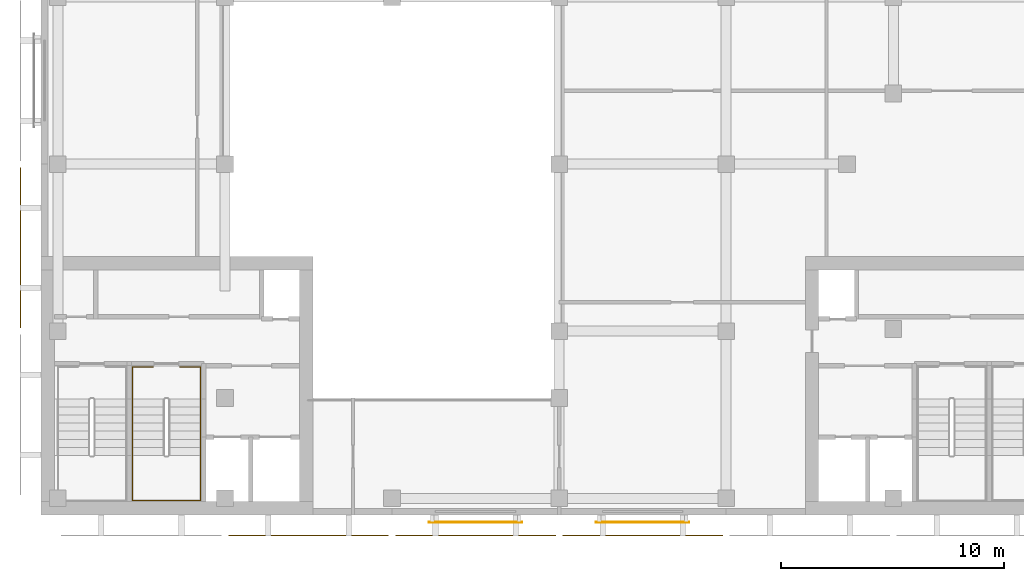
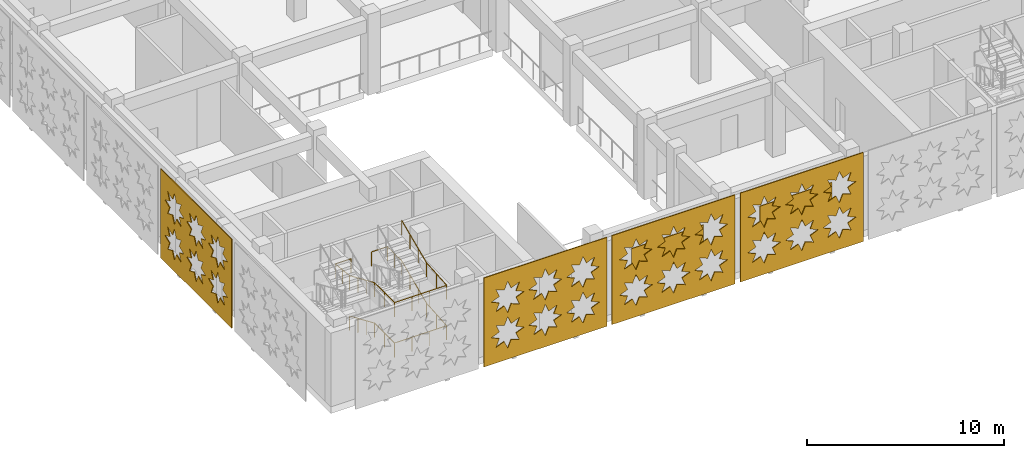
# One storey, part 29 of 40: 6 coverings, 2 railings.
"""IFC4 building model written with IfcOpenShell, lengths in metres."""

from ifc_helpers import new_model, si_unit, direction, frame, origin, origin_2d, place, context, subcontext, project, spatial, polyline, rectangle, circle, outline, extrude, material, layer, layer_set, type_object, element, save


model = new_model("IFC4")

# Units and contexts
model_context = context("Model", 3, precision=1e-05, world=origin(), true_north=direction((0.0, 1.0)))
body_context = subcontext(model_context, "Body", "Model", "MODEL_VIEW")
ifc_project = project(units=[si_unit("LENGTHUNIT", "METRE"), si_unit("AREAUNIT", "SQUARE_METRE"), si_unit("VOLUMEUNIT", "CUBIC_METRE"), si_unit("PLANEANGLEUNIT", "RADIAN"), si_unit("MASSUNIT", "GRAM", prefix="KILO")], contexts=[model_context])

# Site, building, storey
site_placement = place(None, origin())
site = spatial("IfcSite", under=ifc_project, at=site_placement, CompositionType="ELEMENT")
building_placement = place(site_placement, origin())
building = spatial("IfcBuilding", under=site, at=building_placement, Name="Tessera Arch", CompositionType="ELEMENT")
storey_placement = place(building_placement, frame((0.0, 0.0, 21.0)))
storey = spatial("IfcBuildingStorey", under=building, at=storey_placement, Name="L03", CompositionType="ELEMENT", Elevation=21.0)

# Coverings
ifc_material_1 = material(Name="Anodised aluminium pale metal", Category="aluminium")
ifc_layer_1 = layer(ifc_material_1, 0.050048828125)
ifc_layer_set_1 = layer_set([ifc_layer_1], Name="Museum lattice skin panel")
covering_type_1 = type_object("IfcCoveringType", Name="Museum lattice skin panel", PredefinedType="CLADDING", material=ifc_layer_set_1)
covering_1_placement = place(storey_placement, frame((-24.14990234375, -33.449951171875, 5.60009765625), z_axis=(0.0, 1.0, 0.0), x_axis=(1.0, 0.0, 0.0)))
element("IfcCovering", 1, at=covering_1_placement, inside=storey, type_object=covering_type_1, Name="Museum lattice skin L03 1-3", PredefinedType="CLADDING", context=body_context, shape_type="SweptSolid", body=[
    extrude(outline(polyline([(0.0, 0.0), (7.199951171875, 0.0), (7.199951171875, 5.5), (0.0, 5.5), (0.0, 0.0)]), holes=[polyline([(2.367919921875, 3.85009765625), (1.887939453125, 3.648193359375), (2.083984375, 3.166015625), (1.601806640625, 3.362060546875), (1.39990234375, 2.882080078125), (1.197998046875, 3.362060546875), (0.7158203125, 3.166015625), (0.911865234375, 3.648193359375), (0.431884765625, 3.85009765625), (0.911865234375, 4.052001953125), (0.7158203125, 4.5341796875), (1.197998046875, 4.338134765625), (1.39990234375, 4.818115234375), (1.601806640625, 4.338134765625), (2.083984375, 4.5341796875), (1.887939453125, 4.052001953125), (2.367919921875, 3.85009765625)]), polyline([(2.367919921875, 1.650146484375), (1.887939453125, 1.447998046875), (2.083984375, 0.966064453125), (1.601806640625, 1.162109375), (1.39990234375, 0.68212890625), (1.197998046875, 1.162109375), (0.7158203125, 0.966064453125), (0.911865234375, 1.447998046875), (0.431884765625, 1.650146484375), (0.911865234375, 1.85205078125), (0.7158203125, 2.333984375), (1.197998046875, 2.13818359375), (1.39990234375, 2.6181640625), (1.601806640625, 2.13818359375), (2.083984375, 2.333984375), (1.887939453125, 1.85205078125), (2.367919921875, 1.650146484375)]), polyline([(4.56787109375, 3.85009765625), (4.087890625, 3.648193359375), (4.283935546875, 3.166015625), (3.802001953125, 3.362060546875), (3.599853515625, 2.882080078125), (3.39794921875, 3.362060546875), (2.916015625, 3.166015625), (3.11181640625, 3.648193359375), (2.6318359375, 3.85009765625), (3.11181640625, 4.052001953125), (2.916015625, 4.5341796875), (3.39794921875, 4.338134765625), (3.599853515625, 4.818115234375), (3.802001953125, 4.338134765625), (4.283935546875, 4.5341796875), (4.087890625, 4.052001953125), (4.56787109375, 3.85009765625)]), polyline([(4.56787109375, 1.650146484375), (4.087890625, 1.447998046875), (4.283935546875, 0.966064453125), (3.802001953125, 1.162109375), (3.599853515625, 0.68212890625), (3.39794921875, 1.162109375), (2.916015625, 0.966064453125), (3.11181640625, 1.447998046875), (2.6318359375, 1.650146484375), (3.11181640625, 1.85205078125), (2.916015625, 2.333984375), (3.39794921875, 2.13818359375), (3.599853515625, 2.6181640625), (3.802001953125, 2.13818359375), (4.283935546875, 2.333984375), (4.087890625, 1.85205078125), (4.56787109375, 1.650146484375)]), polyline([(6.767822265625, 3.85009765625), (6.287841796875, 3.648193359375), (6.48388671875, 3.166015625), (6.001953125, 3.362060546875), (5.7998046875, 2.882080078125), (5.597900390625, 3.362060546875), (5.115966796875, 3.166015625), (5.31201171875, 3.648193359375), (4.831787109375, 3.85009765625), (5.31201171875, 4.052001953125), (5.115966796875, 4.5341796875), (5.597900390625, 4.338134765625), (5.7998046875, 4.818115234375), (6.001953125, 4.338134765625), (6.48388671875, 4.5341796875), (6.287841796875, 4.052001953125), (6.767822265625, 3.85009765625)]), polyline([(6.767822265625, 1.650146484375), (6.287841796875, 1.447998046875), (6.48388671875, 0.966064453125), (6.001953125, 1.162109375), (5.7998046875, 0.68212890625), (5.597900390625, 1.162109375), (5.115966796875, 0.966064453125), (5.31201171875, 1.447998046875), (4.831787109375, 1.650146484375), (5.31201171875, 1.85205078125), (5.115966796875, 2.333984375), (5.597900390625, 2.13818359375), (5.7998046875, 2.6181640625), (6.001953125, 2.13818359375), (6.48388671875, 2.333984375), (6.287841796875, 1.85205078125), (6.767822265625, 1.650146484375)])]), origin(), (0.0, 0.0, -1.0), 0.050048828125),
])
covering_2_placement = place(storey_placement, frame((-16.64990234375, -33.449951171875, 5.60009765625), z_axis=(0.0, 1.0, 0.0), x_axis=(1.0, 0.0, 0.0)))
element("IfcCovering", 2, at=covering_2_placement, inside=storey, type_object=covering_type_1, Name="Museum lattice skin L03 1-4", PredefinedType="CLADDING", context=body_context, shape_type="SweptSolid", body=[
    extrude(outline(polyline([(0.0, 0.0), (7.199951171875, 0.0), (7.199951171875, 5.5), (0.0, 5.5), (0.0, 0.0)]), holes=[polyline([(2.367919921875, 3.85009765625), (1.887939453125, 3.648193359375), (2.083984375, 3.166015625), (1.601806640625, 3.362060546875), (1.39990234375, 2.882080078125), (1.197998046875, 3.362060546875), (0.7158203125, 3.166015625), (0.911865234375, 3.648193359375), (0.431884765625, 3.85009765625), (0.911865234375, 4.052001953125), (0.7158203125, 4.5341796875), (1.197998046875, 4.338134765625), (1.39990234375, 4.818115234375), (1.601806640625, 4.338134765625), (2.083984375, 4.5341796875), (1.887939453125, 4.052001953125), (2.367919921875, 3.85009765625)]), polyline([(2.367919921875, 1.650146484375), (1.887939453125, 1.447998046875), (2.083984375, 0.966064453125), (1.601806640625, 1.162109375), (1.39990234375, 0.68212890625), (1.197998046875, 1.162109375), (0.7158203125, 0.966064453125), (0.911865234375, 1.447998046875), (0.431884765625, 1.650146484375), (0.911865234375, 1.85205078125), (0.7158203125, 2.333984375), (1.197998046875, 2.13818359375), (1.39990234375, 2.6181640625), (1.601806640625, 2.13818359375), (2.083984375, 2.333984375), (1.887939453125, 1.85205078125), (2.367919921875, 1.650146484375)]), polyline([(4.56787109375, 3.85009765625), (4.087890625, 3.648193359375), (4.283935546875, 3.166015625), (3.802001953125, 3.362060546875), (3.599853515625, 2.882080078125), (3.39794921875, 3.362060546875), (2.916015625, 3.166015625), (3.11181640625, 3.648193359375), (2.6318359375, 3.85009765625), (3.11181640625, 4.052001953125), (2.916015625, 4.5341796875), (3.39794921875, 4.338134765625), (3.599853515625, 4.818115234375), (3.802001953125, 4.338134765625), (4.283935546875, 4.5341796875), (4.087890625, 4.052001953125), (4.56787109375, 3.85009765625)]), polyline([(4.56787109375, 1.650146484375), (4.087890625, 1.447998046875), (4.283935546875, 0.966064453125), (3.802001953125, 1.162109375), (3.599853515625, 0.68212890625), (3.39794921875, 1.162109375), (2.916015625, 0.966064453125), (3.11181640625, 1.447998046875), (2.6318359375, 1.650146484375), (3.11181640625, 1.85205078125), (2.916015625, 2.333984375), (3.39794921875, 2.13818359375), (3.599853515625, 2.6181640625), (3.802001953125, 2.13818359375), (4.283935546875, 2.333984375), (4.087890625, 1.85205078125), (4.56787109375, 1.650146484375)]), polyline([(6.767822265625, 3.85009765625), (6.287841796875, 3.648193359375), (6.48388671875, 3.166015625), (6.001953125, 3.362060546875), (5.7998046875, 2.882080078125), (5.597900390625, 3.362060546875), (5.115966796875, 3.166015625), (5.31201171875, 3.648193359375), (4.831787109375, 3.85009765625), (5.31201171875, 4.052001953125), (5.115966796875, 4.5341796875), (5.597900390625, 4.338134765625), (5.7998046875, 4.818115234375), (6.001953125, 4.338134765625), (6.48388671875, 4.5341796875), (6.287841796875, 4.052001953125), (6.767822265625, 3.85009765625)]), polyline([(6.767822265625, 1.650146484375), (6.287841796875, 1.447998046875), (6.48388671875, 0.966064453125), (6.001953125, 1.162109375), (5.7998046875, 0.68212890625), (5.597900390625, 1.162109375), (5.115966796875, 0.966064453125), (5.31201171875, 1.447998046875), (4.831787109375, 1.650146484375), (5.31201171875, 1.85205078125), (5.115966796875, 2.333984375), (5.597900390625, 2.13818359375), (5.7998046875, 2.6181640625), (6.001953125, 2.13818359375), (6.48388671875, 2.333984375), (6.287841796875, 1.85205078125), (6.767822265625, 1.650146484375)])]), origin(), (0.0, 0.0, -1.0), 0.050048828125),
])
covering_3_placement = place(storey_placement, frame((-9.14990234375, -33.449951171875, 5.60009765625), z_axis=(0.0, 1.0, 0.0), x_axis=(1.0, 0.0, 0.0)))
element("IfcCovering", 3, at=covering_3_placement, inside=storey, type_object=covering_type_1, Name="Museum lattice skin L03 1-5", PredefinedType="CLADDING", context=body_context, shape_type="SweptSolid", body=[
    extrude(outline(polyline([(0.0, 0.0), (7.199951171875, 0.0), (7.199951171875, 5.5), (0.0, 5.5), (0.0, 0.0)]), holes=[polyline([(2.367919921875, 3.85009765625), (1.887939453125, 3.648193359375), (2.083984375, 3.166015625), (1.601806640625, 3.362060546875), (1.39990234375, 2.882080078125), (1.197998046875, 3.362060546875), (0.7158203125, 3.166015625), (0.911865234375, 3.648193359375), (0.431884765625, 3.85009765625), (0.911865234375, 4.052001953125), (0.7158203125, 4.5341796875), (1.197998046875, 4.338134765625), (1.39990234375, 4.818115234375), (1.601806640625, 4.338134765625), (2.083984375, 4.5341796875), (1.887939453125, 4.052001953125), (2.367919921875, 3.85009765625)]), polyline([(2.367919921875, 1.650146484375), (1.887939453125, 1.447998046875), (2.083984375, 0.966064453125), (1.601806640625, 1.162109375), (1.39990234375, 0.68212890625), (1.197998046875, 1.162109375), (0.7158203125, 0.966064453125), (0.911865234375, 1.447998046875), (0.431884765625, 1.650146484375), (0.911865234375, 1.85205078125), (0.7158203125, 2.333984375), (1.197998046875, 2.13818359375), (1.39990234375, 2.6181640625), (1.601806640625, 2.13818359375), (2.083984375, 2.333984375), (1.887939453125, 1.85205078125), (2.367919921875, 1.650146484375)]), polyline([(4.56787109375, 3.85009765625), (4.087890625, 3.648193359375), (4.283935546875, 3.166015625), (3.802001953125, 3.362060546875), (3.599853515625, 2.882080078125), (3.39794921875, 3.362060546875), (2.916015625, 3.166015625), (3.11181640625, 3.648193359375), (2.6318359375, 3.85009765625), (3.11181640625, 4.052001953125), (2.916015625, 4.5341796875), (3.39794921875, 4.338134765625), (3.599853515625, 4.818115234375), (3.802001953125, 4.338134765625), (4.283935546875, 4.5341796875), (4.087890625, 4.052001953125), (4.56787109375, 3.85009765625)]), polyline([(4.56787109375, 1.650146484375), (4.087890625, 1.447998046875), (4.283935546875, 0.966064453125), (3.802001953125, 1.162109375), (3.599853515625, 0.68212890625), (3.39794921875, 1.162109375), (2.916015625, 0.966064453125), (3.11181640625, 1.447998046875), (2.6318359375, 1.650146484375), (3.11181640625, 1.85205078125), (2.916015625, 2.333984375), (3.39794921875, 2.13818359375), (3.599853515625, 2.6181640625), (3.802001953125, 2.13818359375), (4.283935546875, 2.333984375), (4.087890625, 1.85205078125), (4.56787109375, 1.650146484375)]), polyline([(6.767822265625, 3.85009765625), (6.287841796875, 3.648193359375), (6.48388671875, 3.166015625), (6.001953125, 3.362060546875), (5.7998046875, 2.882080078125), (5.597900390625, 3.362060546875), (5.115966796875, 3.166015625), (5.31201171875, 3.648193359375), (4.831787109375, 3.85009765625), (5.31201171875, 4.052001953125), (5.115966796875, 4.5341796875), (5.597900390625, 4.338134765625), (5.7998046875, 4.818115234375), (6.001953125, 4.338134765625), (6.48388671875, 4.5341796875), (6.287841796875, 4.052001953125), (6.767822265625, 3.85009765625)]), polyline([(6.767822265625, 1.650146484375), (6.287841796875, 1.447998046875), (6.48388671875, 0.966064453125), (6.001953125, 1.162109375), (5.7998046875, 0.68212890625), (5.597900390625, 1.162109375), (5.115966796875, 0.966064453125), (5.31201171875, 1.447998046875), (4.831787109375, 1.650146484375), (5.31201171875, 1.85205078125), (5.115966796875, 2.333984375), (5.597900390625, 2.13818359375), (5.7998046875, 2.6181640625), (6.001953125, 2.13818359375), (6.48388671875, 2.333984375), (6.287841796875, 1.85205078125), (6.767822265625, 1.650146484375)])]), origin(), (0.0, 0.0, -1.0), 0.050048828125),
])
covering_4_placement = place(storey_placement, frame((-33.449951171875, -16.949951171875, 5.60009765625), z_axis=(1.0, 0.0, 0.0), x_axis=(0.0, -1.0, 0.0)))
element("IfcCovering", 4, at=covering_4_placement, inside=storey, type_object=covering_type_1, Name="Museum lattice skin L03 6-12", PredefinedType="CLADDING", context=body_context, shape_type="SweptSolid", body=[
    extrude(outline(polyline([(0.0, 0.0), (7.199951171875, 0.0), (7.199951171875, 5.5), (0.0, 5.5), (0.0, 0.0)]), holes=[polyline([(2.3681640625, 3.85009765625), (1.887939453125, 3.648193359375), (2.083984375, 3.166015625), (1.60205078125, 3.362060546875), (1.400146484375, 2.882080078125), (1.197998046875, 3.362060546875), (0.716064453125, 3.166015625), (0.912109375, 3.648193359375), (0.43212890625, 3.85009765625), (0.912109375, 4.052001953125), (0.716064453125, 4.5341796875), (1.197998046875, 4.338134765625), (1.400146484375, 4.818115234375), (1.60205078125, 4.338134765625), (2.083984375, 4.5341796875), (1.887939453125, 4.052001953125), (2.3681640625, 3.85009765625)]), polyline([(2.3681640625, 1.650146484375), (1.887939453125, 1.447998046875), (2.083984375, 0.966064453125), (1.60205078125, 1.162109375), (1.400146484375, 0.68212890625), (1.197998046875, 1.162109375), (0.716064453125, 0.966064453125), (0.912109375, 1.447998046875), (0.43212890625, 1.650146484375), (0.912109375, 1.85205078125), (0.716064453125, 2.333984375), (1.197998046875, 2.13818359375), (1.400146484375, 2.6181640625), (1.60205078125, 2.13818359375), (2.083984375, 2.333984375), (1.887939453125, 1.85205078125), (2.3681640625, 1.650146484375)]), polyline([(4.568115234375, 3.85009765625), (4.088134765625, 3.648193359375), (4.283935546875, 3.166015625), (3.802001953125, 3.362060546875), (3.60009765625, 2.882080078125), (3.39794921875, 3.362060546875), (2.916015625, 3.166015625), (3.112060546875, 3.648193359375), (2.632080078125, 3.85009765625), (3.112060546875, 4.052001953125), (2.916015625, 4.5341796875), (3.39794921875, 4.338134765625), (3.60009765625, 4.818115234375), (3.802001953125, 4.338134765625), (4.283935546875, 4.5341796875), (4.088134765625, 4.052001953125), (4.568115234375, 3.85009765625)]), polyline([(4.568115234375, 1.650146484375), (4.088134765625, 1.447998046875), (4.283935546875, 0.966064453125), (3.802001953125, 1.162109375), (3.60009765625, 0.68212890625), (3.39794921875, 1.162109375), (2.916015625, 0.966064453125), (3.112060546875, 1.447998046875), (2.632080078125, 1.650146484375), (3.112060546875, 1.85205078125), (2.916015625, 2.333984375), (3.39794921875, 2.13818359375), (3.60009765625, 2.6181640625), (3.802001953125, 2.13818359375), (4.283935546875, 2.333984375), (4.088134765625, 1.85205078125), (4.568115234375, 1.650146484375)]), polyline([(6.76806640625, 3.85009765625), (6.2880859375, 3.648193359375), (6.484130859375, 3.166015625), (6.001953125, 3.362060546875), (5.800048828125, 2.882080078125), (5.59814453125, 3.362060546875), (5.115966796875, 3.166015625), (5.31201171875, 3.648193359375), (4.83203125, 3.85009765625), (5.31201171875, 4.052001953125), (5.115966796875, 4.5341796875), (5.59814453125, 4.338134765625), (5.800048828125, 4.818115234375), (6.001953125, 4.338134765625), (6.484130859375, 4.5341796875), (6.2880859375, 4.052001953125), (6.76806640625, 3.85009765625)]), polyline([(6.76806640625, 1.650146484375), (6.2880859375, 1.447998046875), (6.484130859375, 0.966064453125), (6.001953125, 1.162109375), (5.800048828125, 0.68212890625), (5.59814453125, 1.162109375), (5.115966796875, 0.966064453125), (5.31201171875, 1.447998046875), (4.83203125, 1.650146484375), (5.31201171875, 1.85205078125), (5.115966796875, 2.333984375), (5.59814453125, 2.13818359375), (5.800048828125, 2.6181640625), (6.001953125, 2.13818359375), (6.484130859375, 2.333984375), (6.2880859375, 1.85205078125), (6.76806640625, 1.650146484375)])]), origin(), (0.0, 0.0, -1.0), 0.050048828125),
])
ifc_material_2 = material(Name="Anodised aluminium pale metal", Category="aluminium")
ifc_layer_2 = layer(ifc_material_2, 0.0400390625)
ifc_layer_set_2 = layer_set([ifc_layer_2], Name="Museum screen panel")
covering_type_2 = type_object("IfcCoveringType", Name="Museum screen panel", PredefinedType="CLADDING", material=ifc_layer_set_2)
for number, where, z_axis, x_axis, name in (
    (5, (-13.050048828125, -32.8701171875, 2.10009765625), (0.0, 0.0, 1.0), (1.0, 0.0, 0.0), "Screen panel museum L03 1-4"),
    (6, (-5.550048828125, -32.8701171875, 2.10009765625), (0.0, 0.0, 1.0), (1.0, 0.0, 0.0), "Screen panel museum L03 1-5"),
):
    element("IfcCovering", number, at=place(storey_placement, frame(where, z_axis=z_axis, x_axis=x_axis)), inside=storey, type_object=covering_type_2, Name=name, PredefinedType="CLADDING", context=body_context, shape_type="SweptSolid", body=[
        extrude(rectangle(XDim=4.199951171875, YDim=0.0400390625, at=origin_2d()), origin(), (0.0, 0.0, 1.0), 1.800048828125),
    ])

# Railings
ifc_material_3 = material(Name="Painted steel handrail", Category="steel")
railing_type = type_object("IfcRailingType", Name="Stair handrail 900", PredefinedType="HANDRAIL", material=ifc_material_3)
railing_1_placement = place(storey_placement, frame((-28.449951171875, -27.35009765625, 0.15625)))
element("IfcRailing", 7, at=railing_1_placement, inside=storey, type_object=railing_type, Name="L03 M2b stair handrail", PredefinedType="HANDRAIL", context=body_context, shape_type="SweptSolid", body=[
    extrude(circle(Radius=0.02392578125, at=origin_2d()), frame((0.0, 0.003662109375, 0.874267578125), z_axis=(0.0, -0.917324189904, 0.398141093855), x_axis=(1.0, 0.0, 0.0)), (0.0, 0.0, 1.0), 2.755126953125),
    extrude(circle(Radius=0.02392578125, at=origin_2d()), frame((0.0, -2.51611328125, 1.9697265625), z_axis=(0.0, -1.0, 0.0), x_axis=(1.0, 0.0, 0.0)), (0.0, 0.0, 1.0), 2.037841796875),
    extrude(circle(Radius=0.02392578125, at=origin_2d()), frame((-0.00390625, -4.5498046875, 1.9697265625), z_axis=(1.0, 0.0, 0.0), x_axis=(0.0, 1.0, 0.0)), (0.0, 0.0, 1.0), 3.05810546875),
    extrude(circle(Radius=0.02392578125, at=origin_2d()), frame((3.050048828125, -4.5537109375, 1.96923828125), z_axis=(0.0, 0.997050251363, 0.076751522838), x_axis=(-1.0, 0.0, 0.0)), (0.0, 0.0, 1.0), 2.043701171875),
    extrude(circle(Radius=0.02392578125, at=origin_2d()), frame((3.050048828125, -2.523681640625, 2.124267578125), z_axis=(0.0, 0.917324189904, 0.398141093855), x_axis=(-1.0, 0.0, 0.0)), (0.0, 0.0, 1.0), 2.755126953125),
    extrude(circle(Radius=0.02392578125, at=origin_2d()), frame((3.050048828125, -0.00390625, 3.2197265625), z_axis=(0.0, 1.0, 0.0), x_axis=(-1.0, 0.0, 0.0)), (0.0, 0.0, 1.0), 1.458251953125),
    extrude(circle(Radius=0.02392578125, at=origin_2d()), frame((3.053955078125, 1.4501953125, 3.2197265625), z_axis=(-1.0, 0.0, 0.0), x_axis=(0.0, -1.0, 0.0)), (0.0, 0.0, 1.0), 0.93310546875),
    extrude(circle(Radius=0.02099609375, at=origin_2d()), origin(), (0.0, 0.0, 1.0), 0.86376953125),
    extrude(circle(Radius=0.02099609375, at=origin_2d()), frame((0.0, -0.840087890625, 0.364501953125)), (0.0, 0.0, 1.0), 0.86376953125),
    extrude(circle(Radius=0.02099609375, at=origin_2d()), frame((0.0, -1.679931640625, 0.729248046875)), (0.0, 0.0, 1.0), 0.86376953125),
    extrude(circle(Radius=0.02099609375, at=origin_2d()), frame((0.0, -2.52001953125, 1.09375)), (0.0, 0.0, 1.0), 0.86376953125),
    extrude(circle(Radius=0.02099609375, at=origin_2d()), frame((0.0, -3.534912109375, 1.09375)), (0.0, 0.0, 1.0), 0.86376953125),
    extrude(circle(Radius=0.02099609375, at=origin_2d()), frame((0.0, -4.5498046875, 1.09375)), (0.0, 0.0, 1.0), 0.86376953125),
    extrude(circle(Radius=0.02099609375, at=origin_2d()), frame((1.0166015625, -4.5498046875, 1.09375)), (0.0, 0.0, 1.0), 0.86376953125),
    extrude(circle(Radius=0.02099609375, at=origin_2d()), frame((2.033447265625, -4.5498046875, 1.09375)), (0.0, 0.0, 1.0), 0.86376953125),
    extrude(circle(Radius=0.02099609375, at=origin_2d()), frame((3.050048828125, -4.5498046875, 1.09375)), (0.0, 0.0, 1.0), 0.86376953125),
    extrude(circle(Radius=0.02099609375, at=origin_2d()), frame((3.050048828125, -3.534912109375, 1.171875)), (0.0, 0.0, 1.0), 0.86376953125),
    extrude(circle(Radius=0.02099609375, at=origin_2d()), frame((3.050048828125, -2.52001953125, 1.25)), (0.0, 0.0, 1.0), 0.86376953125),
    extrude(circle(Radius=0.02099609375, at=origin_2d()), frame((3.050048828125, -1.679931640625, 1.614501953125)), (0.0, 0.0, 1.0), 0.86376953125),
    extrude(circle(Radius=0.02099609375, at=origin_2d()), frame((3.050048828125, -0.840087890625, 1.979248046875)), (0.0, 0.0, 1.0), 0.86376953125),
    extrude(circle(Radius=0.02099609375, at=origin_2d()), frame((3.050048828125, 0.0, 2.34375)), (0.0, 0.0, 1.0), 0.86376953125),
    extrude(circle(Radius=0.02099609375, at=origin_2d()), frame((3.050048828125, 0.72509765625, 2.34375)), (0.0, 0.0, 1.0), 0.86376953125),
    extrude(circle(Radius=0.02099609375, at=origin_2d()), frame((3.050048828125, 1.4501953125, 2.34375)), (0.0, 0.0, 1.0), 0.86376953125),
    extrude(circle(Radius=0.02099609375, at=origin_2d()), frame((2.125, 1.4501953125, 2.34375)), (0.0, 0.0, 1.0), 0.86376953125),
])
railing_2_placement = place(storey_placement, frame((-27.52490234375, -25.89990234375, 2.5)))
element("IfcRailing", 8, at=railing_2_placement, inside=storey, type_object=railing_type, Name="L03 M2b stair handrail 2", PredefinedType="HANDRAIL", context=body_context, shape_type="SweptSolid", body=[
    extrude(circle(Radius=0.02392578125, at=origin_2d()), frame((0.00390625, 0.0, 0.8759765625), z_axis=(-1.0, 0.0, 0.0), x_axis=(0.0, -1.0, 0.0)), (0.0, 0.0, 1.0), 0.93310546875),
    extrude(circle(Radius=0.02392578125, at=origin_2d()), frame((-0.925048828125, 0.00390625, 0.87548828125), z_axis=(0.0, -0.994245656174, 0.107124111103), x_axis=(1.0, 0.0, 0.0)), (0.0, 0.0, 1.0), 1.466552734375),
    extrude(circle(Radius=0.02392578125, at=origin_2d()), frame((-0.925048828125, -1.446533203125, 1.030517578125), z_axis=(0.0, -0.917324189904, 0.398141093855), x_axis=(1.0, 0.0, 0.0)), (0.0, 0.0, 1.0), 2.755126953125),
    extrude(circle(Radius=0.02392578125, at=origin_2d()), frame((-0.925048828125, -3.96630859375, 2.1259765625), z_axis=(0.0, -1.0, 0.0), x_axis=(1.0, 0.0, 0.0)), (0.0, 0.0, 1.0), 2.037841796875),
    extrude(circle(Radius=0.02392578125, at=origin_2d()), frame((-0.928955078125, -6.0, 2.1259765625), z_axis=(1.0, 0.0, 0.0), x_axis=(0.0, 1.0, 0.0)), (0.0, 0.0, 1.0), 3.05810546875),
    extrude(circle(Radius=0.02392578125, at=origin_2d()), frame((2.125, -6.00390625, 2.12548828125), z_axis=(0.0, 0.997050251363, 0.076751522838), x_axis=(-1.0, 0.0, 0.0)), (0.0, 0.0, 1.0), 2.043701171875),
    extrude(circle(Radius=0.02392578125, at=origin_2d()), frame((2.125, -3.973876953125, 2.280517578125), z_axis=(0.0, 0.917324189904, 0.398141093855), x_axis=(-1.0, 0.0, 0.0)), (0.0, 0.0, 1.0), 2.755126953125),
    extrude(circle(Radius=0.02099609375, at=origin_2d()), origin(), (0.0, 0.0, 1.0), 0.86376953125),
    extrude(circle(Radius=0.02099609375, at=origin_2d()), frame((-0.925048828125, 0.0, 0.0)), (0.0, 0.0, 1.0), 0.86376953125),
    extrude(circle(Radius=0.02099609375, at=origin_2d()), frame((-0.925048828125, -0.72509765625, 0.078125)), (0.0, 0.0, 1.0), 0.86376953125),
    extrude(circle(Radius=0.02099609375, at=origin_2d()), frame((-0.925048828125, -1.4501953125, 0.15625)), (0.0, 0.0, 1.0), 0.86376953125),
    extrude(circle(Radius=0.02099609375, at=origin_2d()), frame((-0.925048828125, -2.290283203125, 0.520751953125)), (0.0, 0.0, 1.0), 0.86376953125),
    extrude(circle(Radius=0.02099609375, at=origin_2d()), frame((-0.925048828125, -3.130126953125, 0.885498046875)), (0.0, 0.0, 1.0), 0.86376953125),
    extrude(circle(Radius=0.02099609375, at=origin_2d()), frame((-0.925048828125, -3.97021484375, 1.25)), (0.0, 0.0, 1.0), 0.86376953125),
    extrude(circle(Radius=0.02099609375, at=origin_2d()), frame((-0.925048828125, -4.985107421875, 1.25)), (0.0, 0.0, 1.0), 0.86376953125),
    extrude(circle(Radius=0.02099609375, at=origin_2d()), frame((-0.925048828125, -6.0, 1.25)), (0.0, 0.0, 1.0), 0.86376953125),
    extrude(circle(Radius=0.02099609375, at=origin_2d()), frame((0.091552734375, -6.0, 1.25)), (0.0, 0.0, 1.0), 0.86376953125),
    extrude(circle(Radius=0.02099609375, at=origin_2d()), frame((1.1083984375, -6.0, 1.25)), (0.0, 0.0, 1.0), 0.86376953125),
    extrude(circle(Radius=0.02099609375, at=origin_2d()), frame((2.125, -6.0, 1.25)), (0.0, 0.0, 1.0), 0.86376953125),
    extrude(circle(Radius=0.02099609375, at=origin_2d()), frame((2.125, -4.985107421875, 1.328125)), (0.0, 0.0, 1.0), 0.86376953125),
    extrude(circle(Radius=0.02099609375, at=origin_2d()), frame((2.125, -3.97021484375, 1.40625)), (0.0, 0.0, 1.0), 0.86376953125),
    extrude(circle(Radius=0.02099609375, at=origin_2d()), frame((2.125, -3.130126953125, 1.770751953125)), (0.0, 0.0, 1.0), 0.86376953125),
    extrude(circle(Radius=0.02099609375, at=origin_2d()), frame((2.125, -2.290283203125, 2.135498046875)), (0.0, 0.0, 1.0), 0.86376953125),
    extrude(circle(Radius=0.02099609375, at=origin_2d()), frame((2.125, -1.4501953125, 2.5)), (0.0, 0.0, 1.0), 0.86376953125),
])

save(model, "model.ifc")
